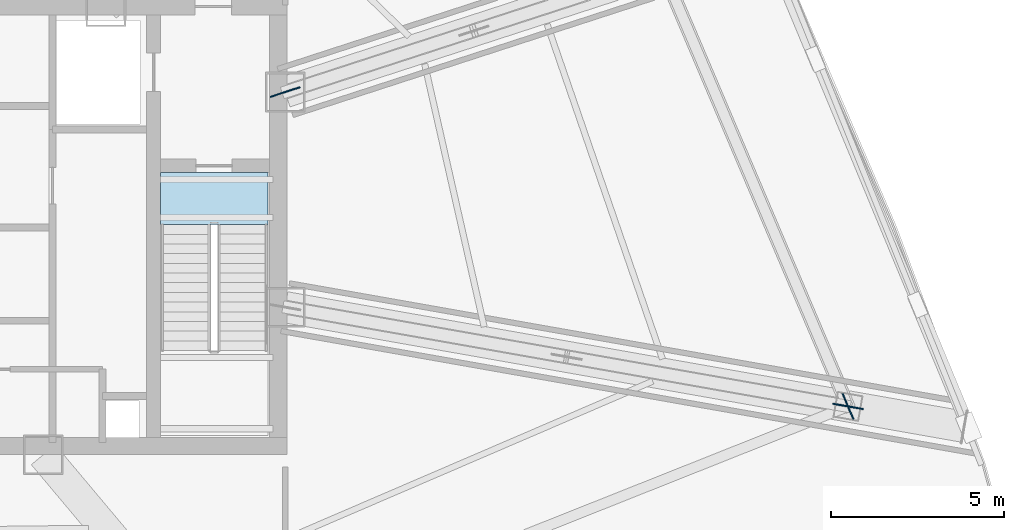
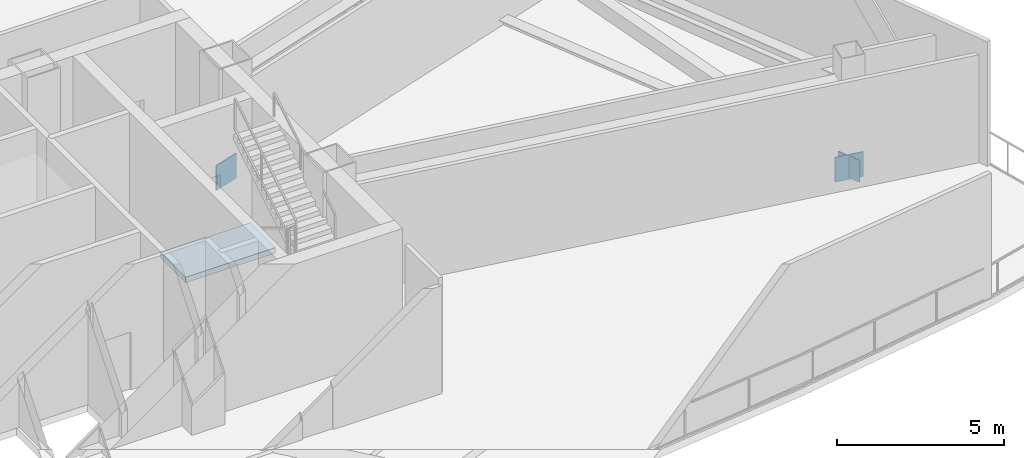
# One storey, part 5 of 13: 3 plates, 1 slab, 1 element without a shape of its own.
"""IFC4 building model written with IfcOpenShell, lengths in metres."""

import ifcopenshell
import ifcopenshell.guid

model = None  # the IFC model being written
_history = None  # IfcOwnerHistory: only IFC2X3 demands one
_inside = {}  # id of a spatial element -> (the spatial element, [elements in it])
_under = {}  # id of a project, library or spatial element -> (it, [spatial elements below it])
_declared = {}  # id of a project -> (the project, [libraries it declares])
_typed = {}  # id of a type object -> (the type object, [elements of that type])
_made_of = {}  # id of a material, layer set ... -> (it, [elements and type objects made of it])


def new_model(schema):
    """Start an empty IFC model of exactly this schema.

    Asked for "IFC4X3", IfcOpenShell would pick the latest addendum, in which some entities
    have other attributes; the version numbers below select the first issue.
    IFC2X3 requires an IfcOwnerHistory on every rooted entity: one is made here for all.
    """
    global model, _history
    if schema == "IFC4X3":
        model = ifcopenshell.file(schema_version=(4, 3, 0, 0))
    else:
        model = ifcopenshell.file(schema=schema)
    _inside.clear()
    _under.clear()
    _declared.clear()
    _typed.clear()
    _made_of.clear()
    _history = None
    if model.schema == "IFC2X3":
        org = make("IfcOrganization", Name="unknown")
        user = make(
            "IfcPersonAndOrganization",
            ThePerson=make("IfcPerson", FamilyName="unknown"),
            TheOrganization=org,
        )
        app = make(
            "IfcApplication",
            ApplicationDeveloper=org,
            Version="unknown",
            ApplicationFullName="unknown",
            ApplicationIdentifier="unknown",
        )
        _history = make(
            "IfcOwnerHistory",
            OwningUser=user,
            OwningApplication=app,
            ChangeAction="ADDED",
            CreationDate=0,
        )
    return model


def make(cls, **values):
    """One entity of the class cls with the attributes given. An attribute that is None is left unset."""
    return model.create_entity(
        cls, **{name: value for name, value in values.items() if value is not None}
    )


def rooted(cls, **values):
    """An entity with a GlobalId (a new one), such as an element, a storey or a relation."""
    return make(cls, GlobalId=ifcopenshell.guid.new(), OwnerHistory=_history, **values)


def si_unit(unit_type, name, prefix=None):
    """IfcSIUnit, for example si_unit("LENGTHUNIT", "METRE", prefix="MILLI")."""
    return make("IfcSIUnit", UnitType=unit_type, Prefix=prefix, Name=name)


def assignment(units):
    """IfcUnitAssignment: the units of a project."""
    return None if units is None else make("IfcUnitAssignment", Units=units)


def point(xyz):
    """IfcCartesianPoint."""
    return None if xyz is None else make("IfcCartesianPoint", Coordinates=xyz)


def direction(xyz):
    """IfcDirection."""
    return None if xyz is None else make("IfcDirection", DirectionRatios=xyz)


def frame(location, z_axis=None, x_axis=None):
    """IfcAxis2Placement3D, a coordinate frame: its origin and axes. An axis left out is left unset."""
    return make(
        "IfcAxis2Placement3D",
        Location=point(location),
        Axis=direction(z_axis),
        RefDirection=direction(x_axis),
    )


def frame_2d(location, x_axis=None):
    """IfcAxis2Placement2D, a coordinate frame in the plane: its origin and x axis."""
    return make(
        "IfcAxis2Placement2D", Location=point(location), RefDirection=direction(x_axis)
    )


def origin():
    """The frame at (0, 0, 0) with its axes left unset."""
    return frame((0.0, 0.0, 0.0))


def origin_2d():
    """The frame at (0, 0) in the plane with its x axis left unset."""
    return frame_2d((0.0, 0.0))


def place(relative_to, where):
    """IfcLocalPlacement: puts the frame where relative to a parent placement (None: the world)."""
    return make(
        "IfcLocalPlacement", PlacementRelTo=relative_to, RelativePlacement=where
    )


def context(
    kind, dimensions, precision=None, world=None, true_north=None, identifier=None
):
    """IfcGeometricRepresentationContext, for example the 3D "Model" context."""
    return make(
        "IfcGeometricRepresentationContext",
        ContextIdentifier=identifier,
        ContextType=kind,
        CoordinateSpaceDimension=dimensions,
        Precision=precision,
        WorldCoordinateSystem=world,
        TrueNorth=true_north,
    )


def subcontext(parent, identifier, kind, view, scale=None):
    """IfcGeometricRepresentationSubContext, for example "Body" below "Model"."""
    return make(
        "IfcGeometricRepresentationSubContext",
        ContextIdentifier=identifier,
        ContextType=kind,
        ParentContext=parent,
        TargetScale=scale,
        TargetView=view,
    )


def project(units=None, contexts=None):
    """IfcProject with its units and contexts."""
    return rooted(
        "IfcProject",
        Name="project",
        RepresentationContexts=contexts,
        UnitsInContext=assignment(units),
    )


def spatial(cls, under=None, at=None, **own):
    """A site, building, storey or space (cls), placed at a placement, below another one or the project."""
    s = rooted(cls, ObjectPlacement=at, **own)
    if under is not None:
        _under.setdefault(under.id(), (under, []))[1].append(s)
    return s


def polyline(points):
    """IfcPolyline through the points."""
    return make("IfcPolyline", Points=[point(p) for p in points])


def profile(cls, at=None, kind="AREA", **sizes):
    """A parametric profile (cls). Its sizes go by their IFC names, for example OverallWidth=200.0."""
    return make(cls, ProfileType=kind, Position=at, **sizes)


def rectangle(**sizes):
    """IfcRectangleProfileDef."""
    return profile("IfcRectangleProfileDef", **sizes)


def outline(outer, holes=None, kind="AREA"):
    """IfcArbitraryClosedProfileDef: a profile drawn as a closed curve; with holes, ...WithVoids."""
    if holes is None:
        return make("IfcArbitraryClosedProfileDef", ProfileType=kind, OuterCurve=outer)
    return make(
        "IfcArbitraryProfileDefWithVoids",
        ProfileType=kind,
        OuterCurve=outer,
        InnerCurves=holes,
    )


def extrude(swept, where, along, depth):
    """IfcExtrudedAreaSolid: the profile swept, set in the frame where, extruded along a direction by depth."""
    return make(
        "IfcExtrudedAreaSolid",
        SweptArea=swept,
        Position=where,
        ExtrudedDirection=direction(along),
        Depth=depth,
    )


def shape(context_of_items, identifier, shape_type, items):
    """IfcShapeRepresentation: the items that make up one representation, for example the "Body"."""
    return make(
        "IfcShapeRepresentation",
        ContextOfItems=context_of_items,
        RepresentationIdentifier=identifier,
        RepresentationType=shape_type,
        Items=items,
    )


def source(mapping_origin, context_of_items, identifier, shape_type, items):
    """IfcRepresentationMap: a shape defined once, which mapped items show again and again."""
    return make(
        "IfcRepresentationMap",
        MappingOrigin=mapping_origin,
        MappedRepresentation=shape(context_of_items, identifier, shape_type, items),
    )


def transform(
    local_origin,
    x_axis=None,
    y_axis=None,
    z_axis=None,
    scale=None,
    scale2=None,
    scale3=None,
    uniform=True,
):
    """IfcCartesianTransformationOperator3D, or its non-uniform kind. x_axis, y_axis, z_axis: its Axis1, 2, 3."""
    if uniform:
        return make(
            "IfcCartesianTransformationOperator3D",
            Axis1=direction(x_axis),
            Axis2=direction(y_axis),
            LocalOrigin=point(local_origin),
            Scale=scale,
            Axis3=direction(z_axis),
        )
    return make(
        "IfcCartesianTransformationOperator3DnonUniform",
        Axis1=direction(x_axis),
        Axis2=direction(y_axis),
        LocalOrigin=point(local_origin),
        Scale=scale,
        Axis3=direction(z_axis),
        Scale2=scale2,
        Scale3=scale3,
    )


def mapped(mapping_source, mapping_target):
    """IfcMappedItem: shows the shape of a source again, moved by a transform."""
    return make(
        "IfcMappedItem", MappingSource=mapping_source, MappingTarget=mapping_target
    )


def material(Name=None, Category=None):
    """IfcMaterial."""
    return make("IfcMaterial", Name=Name, Category=Category)


def layer(
    of_material, thickness, ventilated=None, Name=None, Category=None, Priority=None
):
    """IfcMaterialLayer: one layer of a wall or slab, of a material (None: an air gap)."""
    return make(
        "IfcMaterialLayer",
        Material=of_material,
        LayerThickness=thickness,
        IsVentilated=ventilated,
        Name=Name,
        Category=Category,
        Priority=Priority,
    )


def layer_set(layers, Name=None):
    """IfcMaterialLayerSet."""
    return make("IfcMaterialLayerSet", MaterialLayers=layers, LayerSetName=Name)


def made_of(thing, what):
    """Note that an element or type object is made of a material, layer set ...; save() writes the relation."""
    if what is not None:
        _made_of.setdefault(what.id(), (what, []))[1].append(thing)
    return thing


def type_object(cls, material=None, **own):
    """A type object (cls), such as IfcWallType, which elements share."""
    return made_of(rooted(cls, **own), material)


def element(
    cls,
    number,
    at=None,
    inside=None,
    cuts=None,
    type_object=None,
    material=None,
    context=None,
    identifier="Body",
    shape_type=None,
    held_by="IfcProductDefinitionShape",
    body=None,
    shapes=None,
    **own,
):
    """One element of the class cls, such as IfcWall. Its Tag is "e" and its number.

    at: its placement. inside: the storey or other place that contains it. cuts: it is an
    opening in that element (IfcRelVoidsElement). A single representation is given by context,
    identifier, shape_type and body (its items); several are given by shapes. held_by: the class
    of the entity that holds the representations. save() writes the other relations.
    """
    e = rooted(cls, Tag="e%d" % number, ObjectPlacement=at, **own)
    if body is not None:
        shapes = [shape(context, identifier, shape_type, body)]
    if shapes is not None:
        e.Representation = make(held_by, Representations=shapes)
    if inside is not None:
        _inside.setdefault(inside.id(), (inside, []))[1].append(e)
    if cuts is not None:
        rooted(
            "IfcRelVoidsElement", RelatingBuildingElement=cuts, RelatedOpeningElement=e
        )
    if type_object is not None:
        _typed.setdefault(type_object.id(), (type_object, []))[1].append(e)
    return made_of(e, material)


def aggregate(whole, parts):
    """IfcRelAggregates: a whole, such as a stair, and the parts it consists of."""
    return rooted("IfcRelAggregates", RelatingObject=whole, RelatedObjects=parts)


def save(model, path):
    """Write the relations noted so far, then the file.

    IfcRelAggregates (storeys below a building ...), IfcRelContainedInSpatialStructure (elements
    in a storey), IfcRelDefinesByType, IfcRelAssociatesMaterial and IfcRelDeclares: one each for
    every whole, place, type object, material and project.
    """
    for whole, parts in _under.values():
        aggregate(whole, parts)
    for where, things in _inside.values():
        rooted(
            "IfcRelContainedInSpatialStructure",
            RelatedElements=things,
            RelatingStructure=where,
        )
    for kind, things in _typed.values():
        rooted("IfcRelDefinesByType", RelatedObjects=things, RelatingType=kind)
    for what, things in _made_of.values():
        rooted("IfcRelAssociatesMaterial", RelatedObjects=things, RelatingMaterial=what)
    for by, libraries in _declared.values():
        rooted("IfcRelDeclares", RelatingContext=by, RelatedDefinitions=libraries)
    model.write(path)


model = new_model("IFC4")

# Units and contexts
model_context = context("Model", 3, precision=1e-05, world=origin(), true_north=direction((0.0, 1.0)))
body_context = subcontext(model_context, "Body", "Model", "MODEL_VIEW")
ifc_project = project(units=[si_unit("LENGTHUNIT", "METRE"), si_unit("AREAUNIT", "SQUARE_METRE"), si_unit("VOLUMEUNIT", "CUBIC_METRE"), si_unit("PLANEANGLEUNIT", "RADIAN"), si_unit("MASSUNIT", "GRAM", prefix="KILO"), si_unit("THERMODYNAMICTEMPERATUREUNIT", "KELVIN"), si_unit("POWERUNIT", "WATT")], contexts=[model_context])

# Site, building, storey
site_placement = place(None, origin())
site = spatial("IfcSite", under=ifc_project, at=site_placement, CompositionType="ELEMENT")
building_placement = place(site_placement, origin())
building = spatial("IfcBuilding", under=site, at=building_placement, Name="Yunzhuo Pagoda Commons", CompositionType="ELEMENT")
storey_placement = place(building_placement, frame((0.0, 0.0, 272.760009765625)))
storey = spatial("IfcBuildingStorey", under=building, at=storey_placement, Name="L68", CompositionType="ELEMENT", Elevation=272.760009765625)

# Stair, slab
ifc_material_1 = material(Name="Concrete C40", Category="concrete")
stair_type = type_object("IfcStairType", Name="ST-C2 Core Smokeproof Stair ST2", PredefinedType="HALF_TURN_STAIR", material=ifc_material_1)
stair_placement = place(storey_placement, origin())
stair = element("IfcStair", 1, at=stair_placement, inside=storey, type_object=stair_type, Name="L68 Core smokeproof stair ST2", PredefinedType="HALF_TURN_STAIR")
ifc_layer_1 = layer(ifc_material_1, 0.201904296875)
ifc_layer_set_1 = layer_set([ifc_layer_1], Name="Concrete C40")
slab_type = type_object("IfcSlabType", Name="SL-LND2 Stair Landing Slab 202", PredefinedType="LANDING", material=ifc_layer_set_1)
slab_placement = place(storey_placement, frame((0.0, 0.0, -0.199951171875)))
slab = element("IfcSlab", 2, at=slab_placement, type_object=slab_type, Name="ST2 floor landing L68", PredefinedType="LANDING", context=body_context, shape_type="SweptSolid", body=[
    extrude(outline(polyline([(56.800048828125, 35.39990234375), (56.800048828125, 33.89990234375), (59.89990234375, 33.89990234375), (59.89990234375, 35.39990234375), (56.800048828125, 35.39990234375)])), origin(), (0.0, 0.0, 1.0), 0.199951171875),
])
aggregate(stair, [slab])

# Plates
ifc_material_2 = material(Name="Structural steel Q420B", Category="steel")
ifc_layer_2 = layer(ifc_material_2, 0.0400390625)
ifc_layer_set_2 = layer_set([ifc_layer_2], Name="Structural steel Q420B")
plate_type_1 = type_object("IfcPlateType", Name="GP-OT1 Outrigger Gusset Plate 900x500x900", PredefinedType="USERDEFINED", material=ifc_layer_set_2)
shared_shape_1 = source(origin(), body_context, "Body", "SweptSolid", [
    extrude(rectangle(XDim=0.89990234375, YDim=0.0400390625, at=origin_2d()), origin(), (0.0, 0.0, 1.0), 0.89990234375),
])
for number, where, z_axis, x_axis, name in (
    (3, (76.66162109375, 28.646240234375, -0.179931640625), (0.0, 0.0, 1.0), (0.984807753012, -0.173648177667, 0.0), "L68 outrigger column gusset plate F2C1"),
    (4, (60.39990234375, 37.72900390625, -0.179931640625), (0.0, 0.0, 1.0), (0.951056516295, 0.309016994375, 0.0), "L68 outrigger core gusset plate F2C2"),
):
    element("IfcPlate", number, at=place(storey_placement, frame(where, z_axis=z_axis, x_axis=x_axis)), inside=storey, type_object=plate_type_1, Name=name, ObjectType="GUSSET_PLATE", PredefinedType="USERDEFINED", context=body_context, shape_type="MappedRepresentation", body=[
        mapped(shared_shape_1, transform((0.0, 0.0, 0.0), scale=1.0)),
    ])
ifc_material_3 = material(Name="Structural steel Q355B", Category="steel")
ifc_layer_3 = layer(ifc_material_3, 0.028076171875)
ifc_layer_set_3 = layer_set([ifc_layer_3], Name="Structural steel Q355B")
plate_type_2 = type_object("IfcPlateType", Name="SP-ND1 Lattice Node Cap Plate 800x500x28", PredefinedType="USERDEFINED", material=ifc_layer_set_3)
shared_shape_2 = source(origin(), body_context, "Body", "SweptSolid", [
    extrude(rectangle(XDim=0.800048828125, YDim=0.0400390625, at=origin_2d()), origin(), (0.0, 0.0, 1.0), 0.800048828125),
])
plate_placement = place(storey_placement, frame((76.66162109375, 28.646240234375, -0.1298828125), z_axis=(0.0, 0.0, 1.0), x_axis=(-0.39074719427, 0.920498033768, 0.0)))
element("IfcPlate", 5, at=plate_placement, inside=storey, type_object=plate_type_2, Name="L68 belt truss lower gusset plate 5", ObjectType="STIFFENER_PLATE", PredefinedType="USERDEFINED", context=body_context, shape_type="MappedRepresentation", body=[
    mapped(shared_shape_2, transform((0.0, 0.0, 0.0), scale=1.0)),
])

save(model, "model.ifc")
